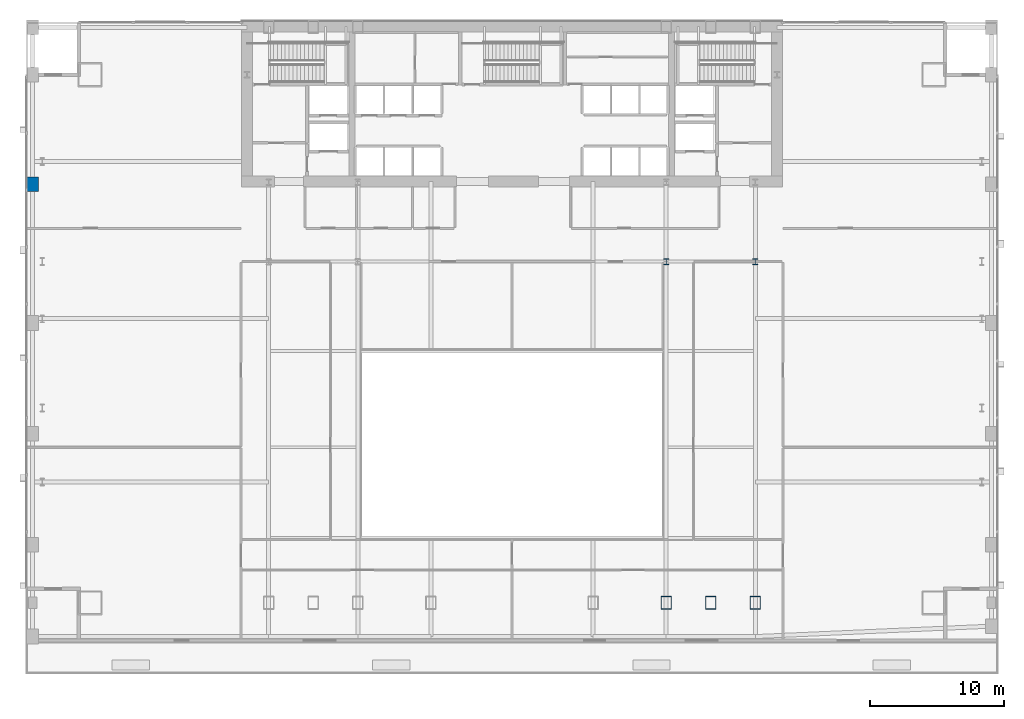
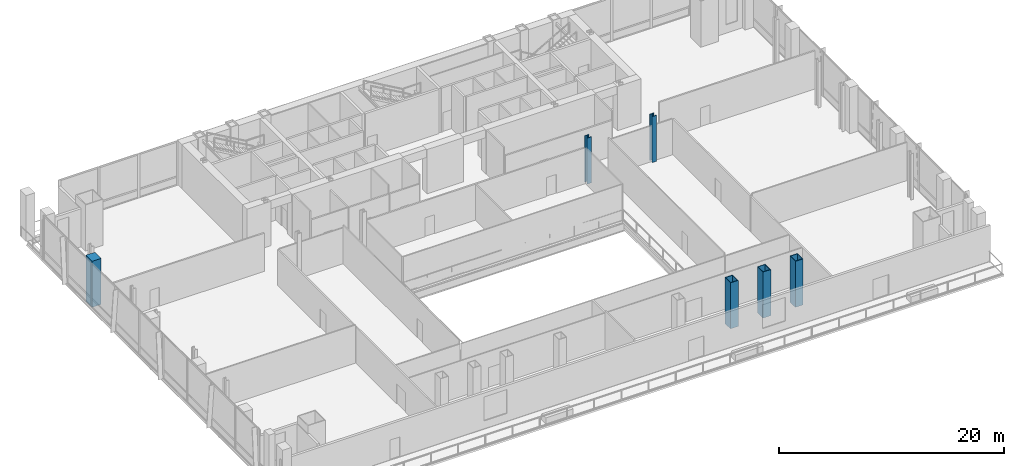
# One storey, part 2 of 26: 6 columns.
"""IFC4 building model written with IfcOpenShell, lengths in metres."""

from ifc_helpers import new_model, si_unit, direction, frame, origin, origin_2d, place, context, subcontext, project, spatial, rectangle, hollow_rectangle, i_section, extrude, material, material_profile, profile_set, type_object, element, save


model = new_model("IFC4")

# Units and contexts
model_context = context("Model", 3, precision=1e-05, world=origin(), true_north=direction((0.0, 1.0)))
body_context = subcontext(model_context, "Body", "Model", "MODEL_VIEW")
ifc_project = project(units=[si_unit("LENGTHUNIT", "METRE"), si_unit("AREAUNIT", "SQUARE_METRE"), si_unit("VOLUMEUNIT", "CUBIC_METRE"), si_unit("PLANEANGLEUNIT", "RADIAN"), si_unit("MASSUNIT", "GRAM", prefix="KILO")], contexts=[model_context])

# Site, building, storey
site_placement = place(None, origin())
site = spatial("IfcSite", under=ifc_project, at=site_placement, CompositionType="ELEMENT")
building_placement = place(site_placement, origin())
building = spatial("IfcBuilding", under=site, at=building_placement, Name="Khoronbel Lancet Exchange", CompositionType="ELEMENT")
storey_placement = place(building_placement, frame((0.0, 0.0, 5.39990234375)))
storey = spatial("IfcBuildingStorey", under=building, at=storey_placement, Name="L01", CompositionType="ELEMENT", Elevation=5.39990234375)

# Columns
ifc_material_1 = material(Name="Steel S460", Category="steel")
ifc_material_profile_1 = material_profile(ifc_material_1, hollow_rectangle(XDim=0.800048828125, YDim=1.0, WallThickness=0.054931640625, at=origin_2d()), Name="BOX 1000x800x55")
ifc_profile_set_1 = profile_set([ifc_material_profile_1], Name="Steel S460")
column_type_1 = type_object("IfcColumnType", Name="COL-EC1", PredefinedType="COLUMN", material=ifc_profile_set_1)
for number, where, z_axis, x_axis, name in (
    (1, (48.0, 10.14990234375, 0.0), (0.0, 0.0, 1.0), (1.0, 0.0, 0.0), "Structural column SC-E1 L01"),
    (2, (51.33740234375, 10.14990234375, 0.0), (0.0, 0.0, 1.0), (1.0, 0.0, 0.0), "Structural column SC-EM L01"),
    (3, (54.675048828125, 10.14990234375, 0.0), (0.0, 0.0, 1.0), (1.0, 0.0, 0.0), "Structural column SC-E2 L01"),
):
    element("IfcColumn", number, at=place(storey_placement, frame(where, z_axis=z_axis, x_axis=x_axis)), inside=storey, type_object=column_type_1, Name=name, PredefinedType="COLUMN", context=body_context, shape_type="SweptSolid", body=[
        extrude(hollow_rectangle(XDim=0.800048828125, YDim=1.0, WallThickness=0.054931640625, at=origin_2d()), origin(), (0.0, 0.0, 1.0), 5.0),
    ])
ifc_material_profile_2 = material_profile(ifc_material_1, i_section(OverallWidth=0.424072265625, OverallDepth=0.47412109375, WebThickness=0.047607421875, FlangeThickness=0.076904296875, at=origin_2d()), Name="HD 400x634")
ifc_profile_set_2 = profile_set([ifc_material_profile_2], Name="Steel S460")
column_type_2 = type_object("IfcColumnType", Name="COL-IC1", PredefinedType="COLUMN", material=ifc_profile_set_2)
for number, where, z_axis, x_axis, name in (
    (4, (48.0, 35.699951171875, 0.0), (0.0, 0.0, 1.0), (1.0, 0.0, 0.0), "Spine gravity column TC3 L01"),
    (5, (54.675048828125, 35.699951171875, 0.0), (0.0, 0.0, 1.0), (1.0, 0.0, 0.0), "Spine gravity column TC4 L01"),
):
    element("IfcColumn", number, at=place(storey_placement, frame(where, z_axis=z_axis, x_axis=x_axis)), inside=storey, type_object=column_type_2, Name=name, PredefinedType="COLUMN", context=body_context, shape_type="SweptSolid", body=[
        extrude(i_section(OverallWidth=0.424072265625, OverallDepth=0.47412109375, WebThickness=0.047607421875, FlangeThickness=0.076904296875, at=origin_2d()), origin(), (0.0, 0.0, 1.0), 5.0),
    ])
ifc_material_2 = material(Name="Concrete C60/75", Category="concrete")
ifc_material_profile_3 = material_profile(ifc_material_2, rectangle(XDim=0.89990234375, YDim=1.10009765625, at=origin_2d()), Name="RC 900x1100")
ifc_profile_set_3 = profile_set([ifc_material_profile_3], Name="Concrete C60/75")
column_type_3 = type_object("IfcColumnType", Name="COL-PIL1", PredefinedType="PILASTER", material=ifc_profile_set_3)
column_placement = place(storey_placement, frame((0.550048828125, 41.5, 0.0), z_axis=(0.0, 0.0, 1.0), x_axis=(1.0, 0.0, 0.0)))
element("IfcColumn", 6, at=column_placement, inside=storey, type_object=column_type_3, Name="Podium Gothic colonnade pilaster W4 L01", PredefinedType="PILASTER", context=body_context, shape_type="SweptSolid", body=[
    extrude(rectangle(XDim=0.89990234375, YDim=1.10009765625, at=origin_2d()), origin(), (0.0, 0.0, 1.0), 5.0),
])

save(model, "model.ifc")
